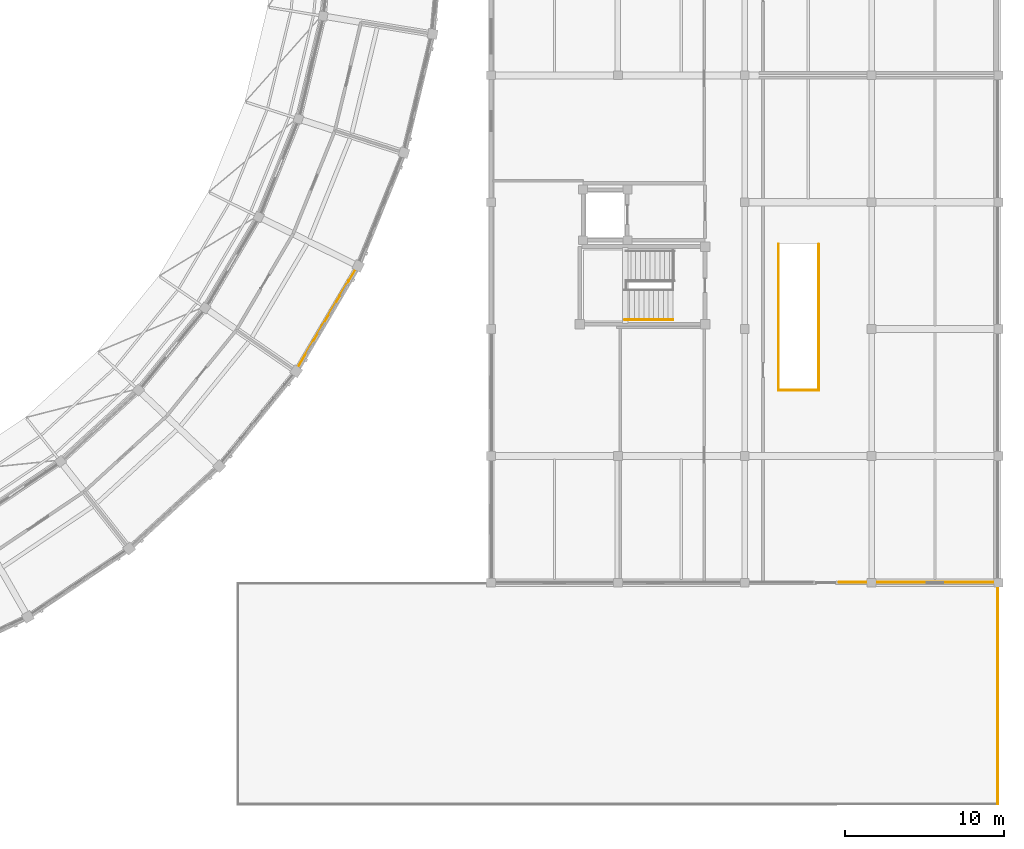
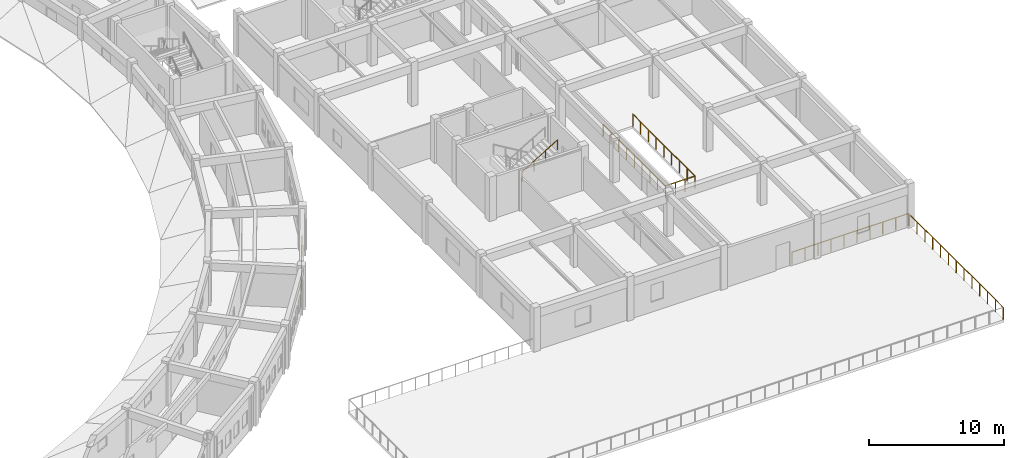
# One storey, part 108 of 112: 7 railings.
"""IFC4 building model written with IfcOpenShell, lengths in metres."""

from ifc_helpers import new_model, si_unit, direction, frame, origin, origin_2d, place, context, subcontext, project, spatial, circle, extrude, material, type_object, element, save


model = new_model("IFC4")

# Units and contexts
model_context = context("Model", 3, precision=1e-05, world=origin(), true_north=direction((0.0, 1.0)))
body_context = subcontext(model_context, "Body", "Model", "MODEL_VIEW")
ifc_project = project(units=[si_unit("LENGTHUNIT", "METRE"), si_unit("AREAUNIT", "SQUARE_METRE"), si_unit("VOLUMEUNIT", "CUBIC_METRE"), si_unit("PLANEANGLEUNIT", "RADIAN"), si_unit("MASSUNIT", "GRAM", prefix="KILO")], contexts=[model_context])

# Site, building, storey
site_placement = place(None, origin())
site = spatial("IfcSite", under=ifc_project, at=site_placement, CompositionType="ELEMENT")
building_placement = place(site_placement, origin())
building = spatial("IfcBuilding", under=site, at=building_placement, Name="Celadon Cloister-Ring School", CompositionType="ELEMENT")
storey_placement = place(building_placement, frame((0.0, 0.0, 8.5)))
storey = spatial("IfcBuildingStorey", under=building, at=storey_placement, Name="L02", CompositionType="ELEMENT", Elevation=8.5)

# Railings
ifc_material_1 = material(Name="Structural steel S355JR", Category="steel")
railing_type_1 = type_object("IfcRailingType", Name="RL-BL1", PredefinedType="BALUSTRADE", material=ifc_material_1)
railing_1_placement = place(storey_placement, frame((129.678955078125, 29.364013671875, 0.0)))
element("IfcRailing", 1, at=railing_1_placement, inside=storey, type_object=railing_type_1, Name="Terrace Balustrade 0097", PredefinedType="BALUSTRADE", context=body_context, shape_type="SweptSolid", body=[
    extrude(circle(Radius=0.02392578125, at=origin_2d()), frame((0.0, 0.0, 1.09619140625), z_axis=(0.508006743226, 0.861353091848, 0.0), x_axis=(-0.861353091848, 0.508006743226, 0.0)), (0.0, 0.0, 1.0), 7.697021484375),
    extrude(circle(Radius=0.02099609375, at=origin_2d()), origin(), (0.0, 0.0, 1.0), 1.072021484375),
    extrude(circle(Radius=0.02099609375, at=origin_2d()), frame((0.55859375, 0.947021484375, 0.0)), (0.0, 0.0, 1.0), 1.072021484375),
    extrude(circle(Radius=0.02099609375, at=origin_2d()), frame((1.1171875, 1.894287109375, 0.0)), (0.0, 0.0, 1.0), 1.072021484375),
    extrude(circle(Radius=0.02099609375, at=origin_2d()), frame((1.67578125, 2.84130859375, 0.0)), (0.0, 0.0, 1.0), 1.072021484375),
    extrude(circle(Radius=0.02099609375, at=origin_2d()), frame((2.234375, 3.78857421875, 0.0)), (0.0, 0.0, 1.0), 1.072021484375),
    extrude(circle(Radius=0.02099609375, at=origin_2d()), frame((2.79296875, 4.735595703125, 0.0)), (0.0, 0.0, 1.0), 1.072021484375),
    extrude(circle(Radius=0.02099609375, at=origin_2d()), frame((3.3515625, 5.682861328125, 0.0)), (0.0, 0.0, 1.0), 1.072021484375),
    extrude(circle(Radius=0.02099609375, at=origin_2d()), frame((3.91015625, 6.6298828125, 0.0)), (0.0, 0.0, 1.0), 1.072021484375),
])
railing_2_placement = place(storey_placement, frame((173.9599609375, 2.0400390625, 0.0)))
element("IfcRailing", 2, at=railing_2_placement, inside=storey, type_object=railing_type_1, Name="Terrace Balustrade 0430", PredefinedType="BALUSTRADE", context=body_context, shape_type="SweptSolid", body=[
    extrude(circle(Radius=0.02392578125, at=origin_2d()), frame((0.0, 0.0, 1.09619140625), z_axis=(0.0, 1.0, 0.0), x_axis=(-1.0, 0.0, 0.0)), (0.0, 0.0, 1.0), 13.919921875),
    extrude(circle(Radius=0.02099609375, at=origin_2d()), origin(), (0.0, 0.0, 1.0), 1.072021484375),
    extrude(circle(Radius=0.02099609375, at=origin_2d()), frame((0.0, 1.159912109375, 0.0)), (0.0, 0.0, 1.0), 1.072021484375),
    extrude(circle(Radius=0.02099609375, at=origin_2d()), frame((0.0, 2.320068359375, 0.0)), (0.0, 0.0, 1.0), 1.072021484375),
    extrude(circle(Radius=0.02099609375, at=origin_2d()), frame((0.0, 3.47998046875, 0.0)), (0.0, 0.0, 1.0), 1.072021484375),
    extrude(circle(Radius=0.02099609375, at=origin_2d()), frame((0.0, 4.639892578125, 0.0)), (0.0, 0.0, 1.0), 1.072021484375),
    extrude(circle(Radius=0.02099609375, at=origin_2d()), frame((0.0, 5.800048828125, 0.0)), (0.0, 0.0, 1.0), 1.072021484375),
    extrude(circle(Radius=0.02099609375, at=origin_2d()), frame((0.0, 6.9599609375, 0.0)), (0.0, 0.0, 1.0), 1.072021484375),
    extrude(circle(Radius=0.02099609375, at=origin_2d()), frame((0.0, 8.119873046875, 0.0)), (0.0, 0.0, 1.0), 1.072021484375),
    extrude(circle(Radius=0.02099609375, at=origin_2d()), frame((0.0, 9.280029296875, 0.0)), (0.0, 0.0, 1.0), 1.072021484375),
    extrude(circle(Radius=0.02099609375, at=origin_2d()), frame((0.0, 10.43994140625, 0.0)), (0.0, 0.0, 1.0), 1.072021484375),
    extrude(circle(Radius=0.02099609375, at=origin_2d()), frame((0.0, 11.599853515625, 0.0)), (0.0, 0.0, 1.0), 1.072021484375),
    extrude(circle(Radius=0.02099609375, at=origin_2d()), frame((0.0, 12.760009765625, 0.0)), (0.0, 0.0, 1.0), 1.072021484375),
    extrude(circle(Radius=0.02099609375, at=origin_2d()), frame((0.0, 13.919921875, 0.0)), (0.0, 0.0, 1.0), 1.072021484375),
])
railing_3_placement = place(storey_placement, frame((173.9599609375, 16.0400390625, 0.0)))
element("IfcRailing", 3, at=railing_3_placement, inside=storey, type_object=railing_type_1, Name="Terrace Balustrade 0434", PredefinedType="BALUSTRADE", context=body_context, shape_type="SweptSolid", body=[
    extrude(circle(Radius=0.02392578125, at=origin_2d()), frame((0.0, 0.0, 1.09619140625), z_axis=(-1.0, 0.0, 0.0), x_axis=(0.0, -1.0, 0.0)), (0.0, 0.0, 1.0), 9.994873046875),
    extrude(circle(Radius=0.02099609375, at=origin_2d()), origin(), (0.0, 0.0, 1.0), 1.072021484375),
    extrude(circle(Radius=0.02099609375, at=origin_2d()), frame((-1.110595703125, 0.0, 0.0)), (0.0, 0.0, 1.0), 1.072021484375),
    extrude(circle(Radius=0.02099609375, at=origin_2d()), frame((-2.22119140625, 0.0, 0.0)), (0.0, 0.0, 1.0), 1.072021484375),
    extrude(circle(Radius=0.02099609375, at=origin_2d()), frame((-3.33154296875, 0.0, 0.0)), (0.0, 0.0, 1.0), 1.072021484375),
    extrude(circle(Radius=0.02099609375, at=origin_2d()), frame((-4.442138671875, 0.0, 0.0)), (0.0, 0.0, 1.0), 1.072021484375),
    extrude(circle(Radius=0.02099609375, at=origin_2d()), frame((-5.552734375, 0.0, 0.0)), (0.0, 0.0, 1.0), 1.072021484375),
    extrude(circle(Radius=0.02099609375, at=origin_2d()), frame((-6.663330078125, 0.0, 0.0)), (0.0, 0.0, 1.0), 1.072021484375),
    extrude(circle(Radius=0.02099609375, at=origin_2d()), frame((-7.773681640625, 0.0, 0.0)), (0.0, 0.0, 1.0), 1.072021484375),
    extrude(circle(Radius=0.02099609375, at=origin_2d()), frame((-8.88427734375, 0.0, 0.0)), (0.0, 0.0, 1.0), 1.072021484375),
    extrude(circle(Radius=0.02099609375, at=origin_2d()), frame((-9.994873046875, 0.0, 0.0)), (0.0, 0.0, 1.0), 1.072021484375),
])
ifc_material_2 = material(Name="Structural steel S355JR", Category="steel")
railing_type_2 = type_object("IfcRailingType", Name="RL-BL2", PredefinedType="BALUSTRADE", material=ifc_material_2)
railing_4_placement = place(storey_placement, frame((160.135009765625, 37.35009765625, 0.0)))
element("IfcRailing", 4, at=railing_4_placement, inside=storey, type_object=railing_type_2, Name="Interior Guard 0294", PredefinedType="BALUSTRADE", context=body_context, shape_type="SweptSolid", body=[
    extrude(circle(Radius=0.02392578125, at=origin_2d()), frame((0.0, 0.0, 1.09619140625), z_axis=(0.0, -1.0, 0.0), x_axis=(1.0, 0.0, 0.0)), (0.0, 0.0, 1.0), 9.215087890625),
    extrude(circle(Radius=0.02099609375, at=origin_2d()), origin(), (0.0, 0.0, 1.0), 1.072021484375),
    extrude(circle(Radius=0.02099609375, at=origin_2d()), frame((0.0, -1.15185546875, 0.0)), (0.0, 0.0, 1.0), 1.072021484375),
    extrude(circle(Radius=0.02099609375, at=origin_2d()), frame((0.0, -2.3037109375, 0.0)), (0.0, 0.0, 1.0), 1.072021484375),
    extrude(circle(Radius=0.02099609375, at=origin_2d()), frame((0.0, -3.45556640625, 0.0)), (0.0, 0.0, 1.0), 1.072021484375),
    extrude(circle(Radius=0.02099609375, at=origin_2d()), frame((0.0, -4.607421875, 0.0)), (0.0, 0.0, 1.0), 1.072021484375),
    extrude(circle(Radius=0.02099609375, at=origin_2d()), frame((0.0, -5.759521484375, 0.0)), (0.0, 0.0, 1.0), 1.072021484375),
    extrude(circle(Radius=0.02099609375, at=origin_2d()), frame((0.0, -6.911376953125, 0.0)), (0.0, 0.0, 1.0), 1.072021484375),
    extrude(circle(Radius=0.02099609375, at=origin_2d()), frame((0.0, -8.063232421875, 0.0)), (0.0, 0.0, 1.0), 1.072021484375),
    extrude(circle(Radius=0.02099609375, at=origin_2d()), frame((0.0, -9.215087890625, 0.0)), (0.0, 0.0, 1.0), 1.072021484375),
])
railing_5_placement = place(storey_placement, frame((160.135009765625, 28.135009765625, 0.0)))
element("IfcRailing", 5, at=railing_5_placement, inside=storey, type_object=railing_type_2, Name="Interior Guard 0295", PredefinedType="BALUSTRADE", context=body_context, shape_type="SweptSolid", body=[
    extrude(circle(Radius=0.02392578125, at=origin_2d()), frame((0.0, 0.0, 1.09619140625), z_axis=(1.0, 0.0, 0.0), x_axis=(0.0, 1.0, 0.0)), (0.0, 0.0, 1.0), 2.530029296875),
    extrude(circle(Radius=0.02099609375, at=origin_2d()), origin(), (0.0, 0.0, 1.0), 1.072021484375),
    extrude(circle(Radius=0.02099609375, at=origin_2d()), frame((0.84326171875, 0.0, 0.0)), (0.0, 0.0, 1.0), 1.072021484375),
    extrude(circle(Radius=0.02099609375, at=origin_2d()), frame((1.686767578125, 0.0, 0.0)), (0.0, 0.0, 1.0), 1.072021484375),
    extrude(circle(Radius=0.02099609375, at=origin_2d()), frame((2.530029296875, 0.0, 0.0)), (0.0, 0.0, 1.0), 1.072021484375),
])
railing_6_placement = place(storey_placement, frame((162.6650390625, 28.135009765625, 0.0)))
element("IfcRailing", 6, at=railing_6_placement, inside=storey, type_object=railing_type_2, Name="Interior Guard 0296", PredefinedType="BALUSTRADE", context=body_context, shape_type="SweptSolid", body=[
    extrude(circle(Radius=0.02392578125, at=origin_2d()), frame((0.0, 0.0, 1.09619140625), z_axis=(0.0, 1.0, 0.0), x_axis=(-1.0, 0.0, 0.0)), (0.0, 0.0, 1.0), 9.215087890625),
    extrude(circle(Radius=0.02099609375, at=origin_2d()), origin(), (0.0, 0.0, 1.0), 1.072021484375),
    extrude(circle(Radius=0.02099609375, at=origin_2d()), frame((0.0, 1.15185546875, 0.0)), (0.0, 0.0, 1.0), 1.072021484375),
    extrude(circle(Radius=0.02099609375, at=origin_2d()), frame((0.0, 2.3037109375, 0.0)), (0.0, 0.0, 1.0), 1.072021484375),
    extrude(circle(Radius=0.02099609375, at=origin_2d()), frame((0.0, 3.45556640625, 0.0)), (0.0, 0.0, 1.0), 1.072021484375),
    extrude(circle(Radius=0.02099609375, at=origin_2d()), frame((0.0, 4.607421875, 0.0)), (0.0, 0.0, 1.0), 1.072021484375),
    extrude(circle(Radius=0.02099609375, at=origin_2d()), frame((0.0, 5.759521484375, 0.0)), (0.0, 0.0, 1.0), 1.072021484375),
    extrude(circle(Radius=0.02099609375, at=origin_2d()), frame((0.0, 6.911376953125, 0.0)), (0.0, 0.0, 1.0), 1.072021484375),
    extrude(circle(Radius=0.02099609375, at=origin_2d()), frame((0.0, 8.063232421875, 0.0)), (0.0, 0.0, 1.0), 1.072021484375),
    extrude(circle(Radius=0.02099609375, at=origin_2d()), frame((0.0, 9.215087890625, 0.0)), (0.0, 0.0, 1.0), 1.072021484375),
])
ifc_material_3 = material(Name="Structural steel S355JR", Category="steel")
railing_type_3 = type_object("IfcRailingType", Name="RL-HR1", PredefinedType="HANDRAIL", material=ifc_material_3)
railing_7_placement = place(storey_placement, frame((150.429931640625, 32.5849609375, 2.181884765625)))
element("IfcRailing", 7, at=railing_7_placement, inside=storey, type_object=railing_type_3, Name="Stair Handrail 0183", PredefinedType="HANDRAIL", context=body_context, shape_type="SweptSolid", body=[
    extrude(circle(Radius=0.02099609375, at=origin_2d()), frame((0.0, 0.0, 0.87890625), z_axis=(0.858969654429, 0.0, 0.51202649616), x_axis=(0.0, 1.0, 0.0)), (0.0, 0.0, 1.0), 3.55078125),
    extrude(circle(Radius=0.01806640625, at=origin_2d()), origin(), (0.0, 0.0, 1.0), 0.85791015625),
    extrude(circle(Radius=0.01806640625, at=origin_2d()), frame((1.0166015625, 0.0, 0.60595703125)), (0.0, 0.0, 1.0), 0.85791015625),
    extrude(circle(Radius=0.01806640625, at=origin_2d()), frame((2.033447265625, 0.0, 1.212158203125)), (0.0, 0.0, 1.0), 0.85791015625),
    extrude(circle(Radius=0.01806640625, at=origin_2d()), frame((3.050048828125, 0.0, 1.818115234375)), (0.0, 0.0, 1.0), 0.85791015625),
])

save(model, "model.ifc")
